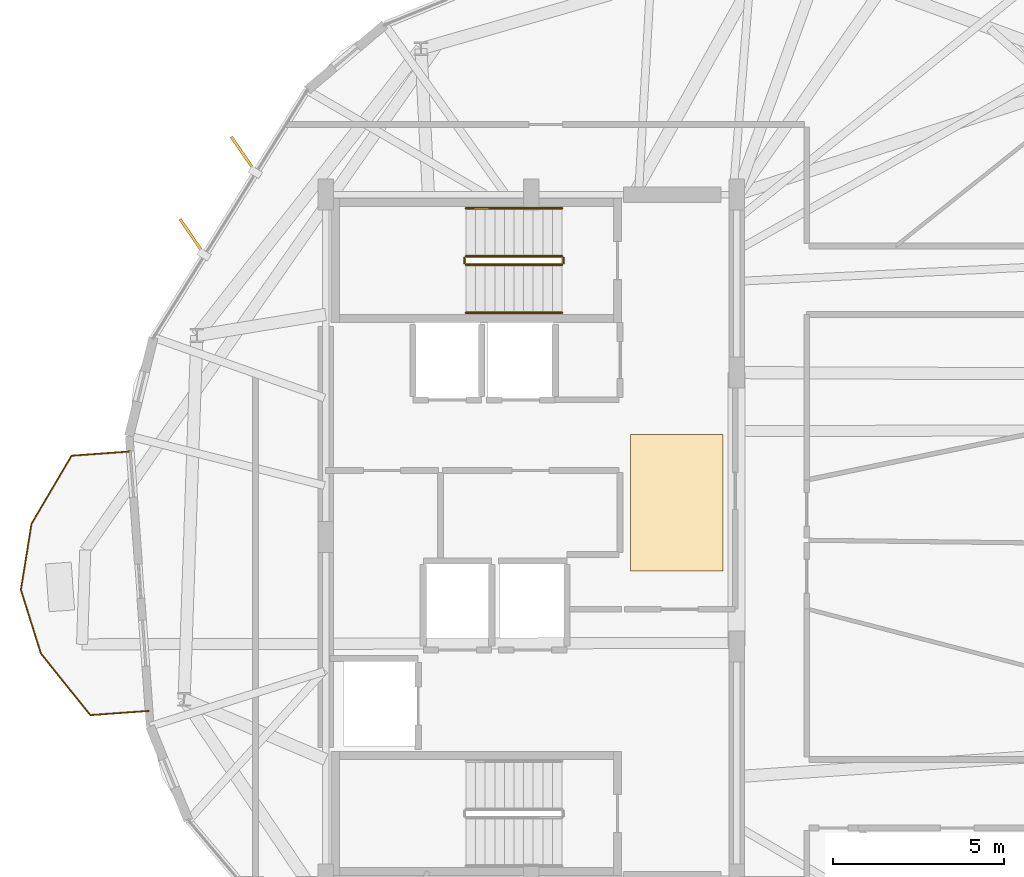
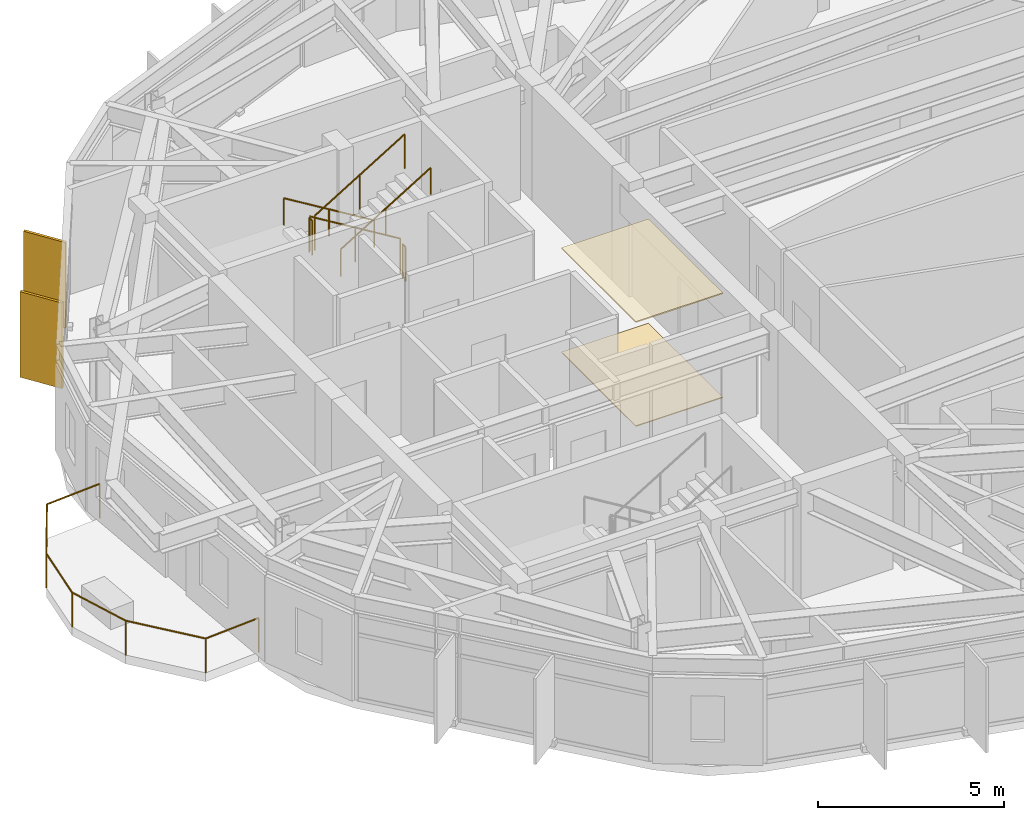
# One storey, part 25 of 26: 7 railings, 2 coverings, 2 shading devices.
"""IFC4 building model written with IfcOpenShell, lengths in metres."""

from ifc_helpers import new_model, si_unit, direction, frame, origin, origin_2d, place, context, subcontext, project, spatial, polyline, rectangle, circle, outline, extrude, material, layer, layer_set, type_object, element, save


model = new_model("IFC4")

# Units and contexts
model_context = context("Model", 3, precision=1e-05, world=origin(), true_north=direction((0.0, 1.0)))
body_context = subcontext(model_context, "Body", "Model", "MODEL_VIEW")
ifc_project = project(units=[si_unit("LENGTHUNIT", "METRE"), si_unit("AREAUNIT", "SQUARE_METRE"), si_unit("VOLUMEUNIT", "CUBIC_METRE"), si_unit("PLANEANGLEUNIT", "RADIAN"), si_unit("MASSUNIT", "GRAM", prefix="KILO")], contexts=[model_context])

# Site, building, storey
site_placement = place(None, origin())
site = spatial("IfcSite", under=ifc_project, at=site_placement, CompositionType="ELEMENT")
building_placement = place(site_placement, origin())
building = spatial("IfcBuilding", under=site, at=building_placement, Name="Soratama Intermodal Tower", CompositionType="ELEMENT")
storey_placement = place(building_placement, frame((0.0, 0.0, 246.25)))
storey = spatial("IfcBuildingStorey", under=building, at=storey_placement, Name="L62", CompositionType="ELEMENT", Elevation=246.25)

# Coverings
ifc_material_1 = material(Name="Perforated mineral acoustic ceiling", Category="concrete")
ifc_layer_1 = layer(ifc_material_1, 0.0400390625)
ifc_layer_set_1 = layer_set([ifc_layer_1], Name="Perforated mineral acoustic ceiling")
covering_type_1 = type_object("IfcCoveringType", Name="CV-CEIL-ACOUSTIC", PredefinedType="CEILING", material=ifc_layer_set_1)
covering_1_placement = place(storey_placement, frame((0.0, 0.0, 3.409912109375)))
element("IfcCovering", 1, at=covering_1_placement, inside=storey, type_object=covering_type_1, Name="L62 Acoustic Ceiling", PredefinedType="CEILING", context=body_context, shape_type="SweptSolid", body=[
    extrude(outline(polyline([(41.5, 24.0), (44.199951171875, 24.0), (44.199951171875, 28.0), (41.5, 28.0), (41.5, 24.0)])), origin(), (0.0, 0.0, 1.0), 0.0400390625),
])
ifc_material_2 = material(Name="Polished Andean stone terrazzo flooring", Category="masonry")
ifc_layer_2 = layer(ifc_material_2, 0.030029296875)
ifc_layer_set_2 = layer_set([ifc_layer_2], Name="Polished Andean stone terrazzo flooring")
covering_type_2 = type_object("IfcCoveringType", Name="CV-FLOR-TERRAZZO", PredefinedType="FLOORING", material=ifc_layer_set_2)
covering_2_placement = place(storey_placement, origin())
element("IfcCovering", 2, at=covering_2_placement, inside=storey, type_object=covering_type_2, Name="L62 Lobby Terrazzo Flooring", PredefinedType="FLOORING", context=body_context, shape_type="SweptSolid", body=[
    extrude(outline(polyline([(41.5, 24.0), (44.199951171875, 24.0), (44.199951171875, 28.0), (41.5, 28.0), (41.5, 24.0)])), origin(), (0.0, 0.0, 1.0), 0.030029296875),
])

# Railings
ifc_material_3 = material(Name="Laminated glass and stainless steel balustrade", Category="steel")
railing_type_1 = type_object("IfcRailingType", Name="RL-BAL-1150", PredefinedType="BALUSTRADE", material=ifc_material_3)
railing_1_placement = place(storey_placement, frame((27.441162109375, 19.919189453125, 0.0)))
element("IfcRailing", 3, at=railing_1_placement, inside=storey, type_object=railing_type_1, Name="L62 Balcony Balustrade 3", PredefinedType="BALUSTRADE", context=body_context, shape_type="SweptSolid", body=[
    extrude(circle(Radius=0.02392578125, at=origin_2d()), frame((0.0, 0.0, 1.1259765625), z_axis=(-0.997397089126, -0.072104414583, 0.0), x_axis=(0.072104414583, -0.997397089126, 0.0)), (0.0, 0.0, 1.0), 1.719970703125),
    extrude(circle(Radius=0.02392578125, at=origin_2d()), frame((-1.715576171875, -0.1240234375, 1.1259765625), z_axis=(-0.62584236627, 0.779949570538, 0.0), x_axis=(-0.779949570538, -0.62584236627, 0.0)), (0.0, 0.0, 1.0), 2.30810546875),
    extrude(circle(Radius=0.02392578125, at=origin_2d()), frame((-3.16015625, 1.67626953125, 1.1259765625), z_axis=(-0.299748554654, 0.954018240907, 0.0), x_axis=(-0.954018240907, -0.299748554654, 0.0)), (0.0, 0.0, 1.0), 1.952392578125),
    extrude(circle(Radius=0.02392578125, at=origin_2d()), frame((-3.745361328125, 3.538818359375, 1.1259765625), z_axis=(0.15918526054, 0.987248728957, 0.0), x_axis=(-0.987248728957, 0.15918526054, 0.0)), (0.0, 0.0, 1.0), 1.952392578125),
    extrude(circle(Radius=0.02392578125, at=origin_2d()), frame((-3.4345703125, 5.46630859375, 1.1259765625), z_axis=(0.5070571045, 0.861912462363, 0.0), x_axis=(-0.861912462363, 0.5070571045, 0.0)), (0.0, 0.0, 1.0), 2.308349609375),
    extrude(circle(Radius=0.02392578125, at=origin_2d()), frame((-2.26416015625, 7.455810546875, 1.1259765625), z_axis=(0.997386871532, 0.072245612297, 0.0), x_axis=(-0.072245612297, 0.997386871532, 0.0)), (0.0, 0.0, 1.0), 1.719970703125),
    extrude(circle(Radius=0.02099609375, at=origin_2d()), origin(), (0.0, 0.0, 1.0), 1.101806640625),
    extrude(circle(Radius=0.02099609375, at=origin_2d()), frame((-1.715576171875, -0.1240234375, 0.0)), (0.0, 0.0, 1.0), 1.101806640625),
    extrude(circle(Radius=0.02099609375, at=origin_2d()), frame((-3.16015625, 1.67626953125, 0.0)), (0.0, 0.0, 1.0), 1.101806640625),
    extrude(circle(Radius=0.02099609375, at=origin_2d()), frame((-3.745361328125, 3.538818359375, 0.0)), (0.0, 0.0, 1.0), 1.101806640625),
    extrude(circle(Radius=0.02099609375, at=origin_2d()), frame((-3.4345703125, 5.46630859375, 0.0)), (0.0, 0.0, 1.0), 1.101806640625),
    extrude(circle(Radius=0.02099609375, at=origin_2d()), frame((-2.26416015625, 7.455810546875, 0.0)), (0.0, 0.0, 1.0), 1.101806640625),
    extrude(circle(Radius=0.02099609375, at=origin_2d()), frame((-0.548583984375, 7.580078125, 0.0)), (0.0, 0.0, 1.0), 1.101806640625),
])
ifc_material_4 = material(Name="Painted steel stair guardrail", Category="steel")
railing_type_2 = type_object("IfcRailingType", Name="RL-STAIR-GUARD", PredefinedType="GUARDRAIL", material=ifc_material_4)
railing_2_placement = place(storey_placement, frame((39.5, 33.199951171875, 0.17041015625)))
element("IfcRailing", 4, at=railing_2_placement, inside=storey, type_object=railing_type_2, Name="L62 ST-2 stair guard 1", PredefinedType="GUARDRAIL", context=body_context, shape_type="SweptSolid", body=[
    extrude(circle(Radius=0.02392578125, at=origin_2d()), frame((0.0, 0.0, 1.1259765625), z_axis=(-0.854169791009, 0.0, 0.51999420009), x_axis=(0.0, -1.0, 0.0)), (0.0, 0.0, 1.0), 3.278076171875),
    extrude(circle(Radius=0.02099609375, at=origin_2d()), origin(), (0.0, 0.0, 1.0), 1.101806640625),
    extrude(circle(Radius=0.02099609375, at=origin_2d()), frame((-1.39990234375, 0.0, 0.852294921875)), (0.0, 0.0, 1.0), 1.101806640625),
    extrude(circle(Radius=0.02099609375, at=origin_2d()), frame((-2.800048828125, 0.0, 1.70458984375)), (0.0, 0.0, 1.0), 1.101806640625),
])
railing_3_placement = place(storey_placement, frame((36.64990234375, 33.14990234375, 1.875)))
element("IfcRailing", 5, at=railing_3_placement, inside=storey, type_object=railing_type_2, Name="L62 ST-2 stair guard 2", PredefinedType="GUARDRAIL", context=body_context, shape_type="SweptSolid", body=[
    extrude(circle(Radius=0.02392578125, at=origin_2d()), frame((0.0, 0.0, 1.1259765625), z_axis=(0.0, -1.0, 0.0), x_axis=(1.0, 0.0, 0.0)), (0.0, 0.0, 1.0), 0.14990234375),
    extrude(circle(Radius=0.02099609375, at=origin_2d()), origin(), (0.0, 0.0, 1.0), 1.101806640625),
    extrude(circle(Radius=0.02099609375, at=origin_2d()), frame((0.0, -0.14990234375, 0.0)), (0.0, 0.0, 1.0), 1.101806640625),
])
railing_4_placement = place(storey_placement, frame((36.699951171875, 32.949951171875, 2.04541015625)))
element("IfcRailing", 6, at=railing_4_placement, inside=storey, type_object=railing_type_2, Name="L62 ST-2 stair guard 3", PredefinedType="GUARDRAIL", context=body_context, shape_type="SweptSolid", body=[
    extrude(circle(Radius=0.02392578125, at=origin_2d()), frame((0.0, 0.0, 1.1259765625), z_axis=(0.854169791009, 0.0, 0.51999420009), x_axis=(0.0, 1.0, 0.0)), (0.0, 0.0, 1.0), 3.278076171875),
    extrude(circle(Radius=0.02099609375, at=origin_2d()), origin(), (0.0, 0.0, 1.0), 1.101806640625),
    extrude(circle(Radius=0.02099609375, at=origin_2d()), frame((1.39990234375, 0.0, 0.852294921875)), (0.0, 0.0, 1.0), 1.101806640625),
    extrude(circle(Radius=0.02099609375, at=origin_2d()), frame((2.800048828125, 0.0, 1.70458984375)), (0.0, 0.0, 1.0), 1.101806640625),
])
railing_5_placement = place(storey_placement, frame((39.550048828125, 33.14990234375, 0.0)))
element("IfcRailing", 7, at=railing_5_placement, inside=storey, type_object=railing_type_2, Name="L62 ST-2 stair guard 4", PredefinedType="GUARDRAIL", context=body_context, shape_type="SweptSolid", body=[
    extrude(circle(Radius=0.02392578125, at=origin_2d()), frame((0.0, 0.0, 1.1259765625), z_axis=(0.0, -1.0, 0.0), x_axis=(1.0, 0.0, 0.0)), (0.0, 0.0, 1.0), 0.14990234375),
    extrude(circle(Radius=0.02099609375, at=origin_2d()), origin(), (0.0, 0.0, 1.0), 1.101806640625),
    extrude(circle(Radius=0.02099609375, at=origin_2d()), frame((0.0, -0.14990234375, 0.0)), (0.0, 0.0, 1.0), 1.101806640625),
])
ifc_material_5 = material(Name="Brushed stainless steel handrail", Category="steel")
railing_type_3 = type_object("IfcRailingType", Name="RL-STAIR-HAND", PredefinedType="HANDRAIL", material=ifc_material_5)
railing_6_placement = place(storey_placement, frame((39.5, 34.60009765625, 0.17041015625)))
element("IfcRailing", 8, at=railing_6_placement, inside=storey, type_object=railing_type_3, Name="L62 ST-2 stair handrail 1", PredefinedType="HANDRAIL", context=body_context, shape_type="SweptSolid", body=[
    extrude(circle(Radius=0.02392578125, at=origin_2d()), frame((0.0, 0.0, 0.8759765625), z_axis=(-0.854169791009, 0.0, 0.51999420009), x_axis=(0.0, -1.0, 0.0)), (0.0, 0.0, 1.0), 3.278076171875),
    extrude(circle(Radius=0.02099609375, at=origin_2d()), origin(), (0.0, 0.0, 1.0), 0.851806640625),
    extrude(circle(Radius=0.02099609375, at=origin_2d()), frame((-1.39990234375, 0.0, 0.852294921875)), (0.0, 0.0, 1.0), 0.851806640625),
    extrude(circle(Radius=0.02099609375, at=origin_2d()), frame((-2.800048828125, 0.0, 1.70458984375)), (0.0, 0.0, 1.0), 0.851806640625),
])
railing_7_placement = place(storey_placement, frame((36.699951171875, 31.550048828125, 2.04541015625)))
element("IfcRailing", 9, at=railing_7_placement, inside=storey, type_object=railing_type_3, Name="L62 ST-2 stair handrail 2", PredefinedType="HANDRAIL", context=body_context, shape_type="SweptSolid", body=[
    extrude(circle(Radius=0.02392578125, at=origin_2d()), frame((0.0, 0.0, 0.8759765625), z_axis=(0.854169791009, 0.0, 0.51999420009), x_axis=(0.0, 1.0, 0.0)), (0.0, 0.0, 1.0), 3.278076171875),
    extrude(circle(Radius=0.02099609375, at=origin_2d()), origin(), (0.0, 0.0, 1.0), 0.851806640625),
    extrude(circle(Radius=0.02099609375, at=origin_2d()), frame((1.39990234375, 0.0, 0.852294921875)), (0.0, 0.0, 1.0), 0.851806640625),
    extrude(circle(Radius=0.02099609375, at=origin_2d()), frame((2.800048828125, 0.0, 1.70458984375)), (0.0, 0.0, 1.0), 0.851806640625),
])

# Shading devices
ifc_material_6 = material(Name="Champagne anodised aluminium solar fin", Category="aluminium")
ifc_layer_3 = layer(ifc_material_6, 0.080078125)
ifc_layer_set_3 = layer_set([ifc_layer_3], Name="Champagne anodised aluminium solar fin")
shading_device_type = type_object("IfcShadingDeviceType", Name="SH-FIN-1250", PredefinedType="USERDEFINED", material=ifc_layer_set_3)
for number, where, z_axis, x_axis, name in (
    (10, (30.197021484375, 36.1728515625, 0.02001953125), (0.0, 0.0, 1.0), (-0.565542903589, 0.82471887586, 0.0), "L62 Solar Fin F03-1"),
    (11, (28.701416015625, 33.7666015625, 0.02001953125), (0.0, 0.0, 1.0), (-0.565542903589, 0.82471887586, 0.0), "L62 Solar Fin F03-2"),
):
    element("IfcShadingDevice", number, at=place(storey_placement, frame(where, z_axis=z_axis, x_axis=x_axis)), inside=storey, type_object=shading_device_type, Name=name, ObjectType="FIN", PredefinedType="USERDEFINED", context=body_context, shape_type="SweptSolid", body=[
        extrude(rectangle(XDim=1.25, YDim=0.080078125, at=origin_2d()), origin(), (0.0, 0.0, 1.0), 2.80908203125),
    ])

save(model, "model.ifc")
